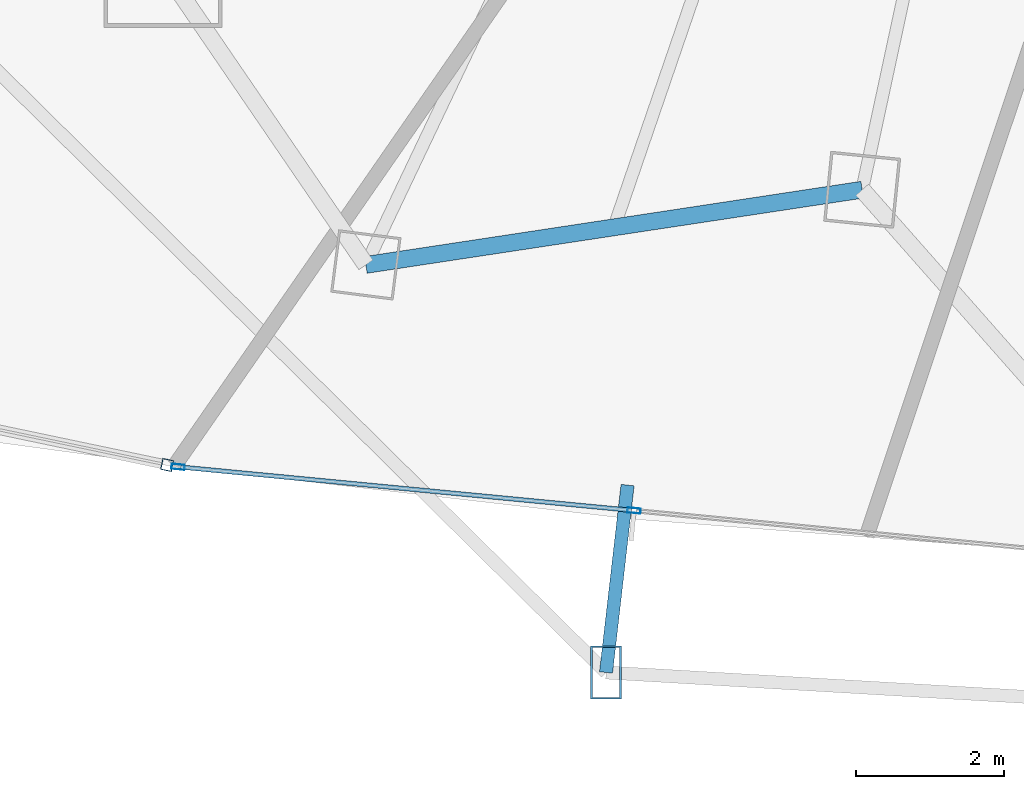
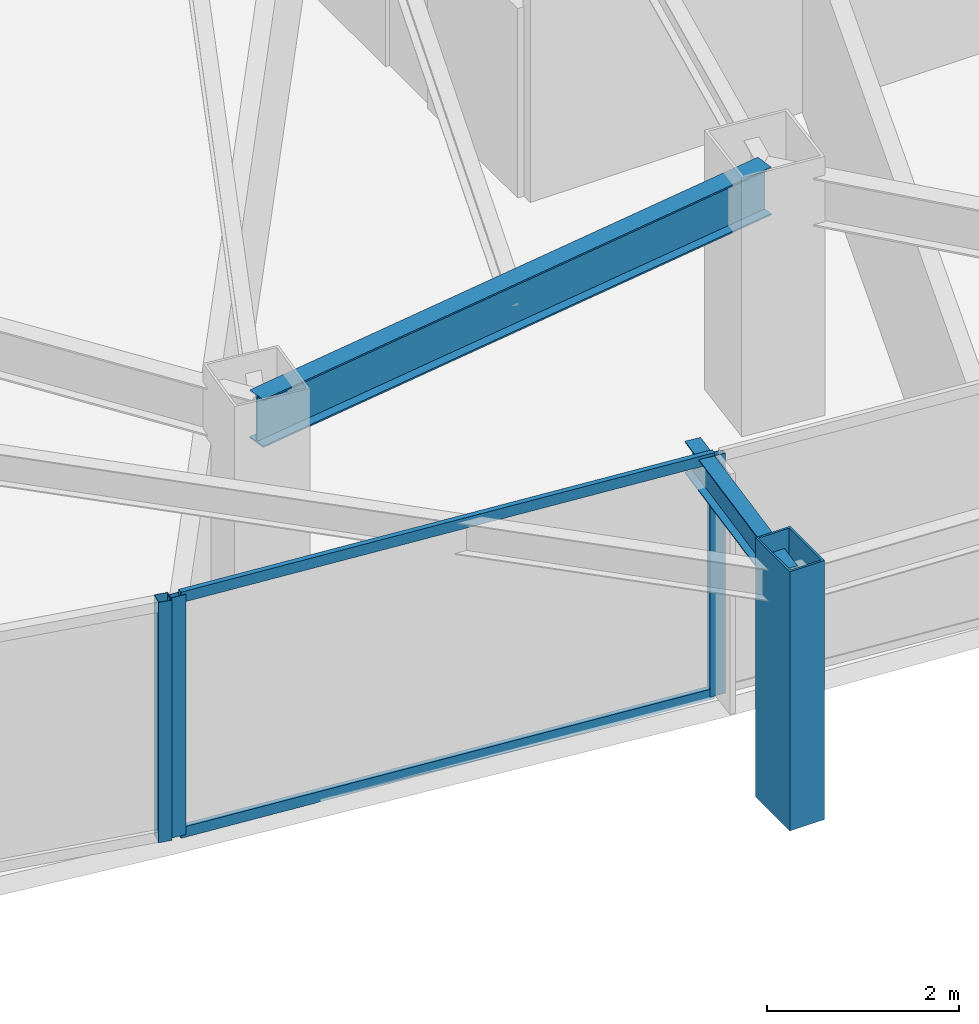
# One storey, part 4 of 33: 6 members, 2 beams, 2 elements without a shape of their own.
"""IFC4 building model written with IfcOpenShell, lengths in metres."""

from ifc_helpers import new_model, si_unit, direction, frame, origin, origin_2d, place, context, subcontext, project, spatial, hollow_rectangle, i_section, extrude, material, layer, layer_set, material_profile, profile_set, type_object, element, aggregate, save


model = new_model("IFC4")

# Units and contexts
model_context = context("Model", 3, precision=1e-05, world=origin(), true_north=direction((0.0, 1.0)))
body_context = subcontext(model_context, "Body", "Model", "MODEL_VIEW")
ifc_project = project(units=[si_unit("LENGTHUNIT", "METRE"), si_unit("AREAUNIT", "SQUARE_METRE"), si_unit("VOLUMEUNIT", "CUBIC_METRE"), si_unit("PLANEANGLEUNIT", "RADIAN"), si_unit("MASSUNIT", "GRAM", prefix="KILO")], contexts=[model_context])

# Site, building, storey
site_placement = place(None, origin())
site = spatial("IfcSite", under=ifc_project, at=site_placement, CompositionType="ELEMENT")
building_placement = place(site_placement, origin())
building = spatial("IfcBuilding", under=site, at=building_placement, Name="Orvanel Arch Residences", CompositionType="ELEMENT")
storey_placement = place(building_placement, frame((0.0, 0.0, 90.64990234375)))
storey = spatial("IfcBuildingStorey", under=building, at=storey_placement, Name="L25", CompositionType="ELEMENT", Elevation=90.64990234375)

# Member
ifc_material_1 = material(Name="Structural steel AS/NZS 3678 Grade 350", Category="steel")
ifc_material_profile_1 = material_profile(ifc_material_1, hollow_rectangle(XDim=0.419921875, YDim=0.719970703125, WallThickness=0.02490234375, at=origin_2d()), Name="RHS720x420x25")
ifc_profile_set_1 = profile_set([ifc_material_profile_1], Name="Structural steel AS/NZS 3678 Grade 350")
member_type_1 = type_object("IfcMemberType", Name="CH-720RHS-EXT", PredefinedType="CHORD", material=ifc_profile_set_1)
member_1_placement = place(storey_placement, frame((20.18701171875, 0.830078125, 0.0), z_axis=(0.0, 0.0, 1.0), x_axis=(1.0, 0.0, 0.0)))
element("IfcMember", 1, at=member_1_placement, inside=storey, type_object=member_type_1, Name="L25 Outer Perimeter Frame Post 05", PredefinedType="CHORD", context=body_context, shape_type="SweptSolid", body=[
    extrude(hollow_rectangle(XDim=0.419921875, YDim=0.719970703125, WallThickness=0.02490234375, at=origin_2d()), origin(), (0.0, 0.0, 1.0), 3.300048828125),
])

# Curtain wall, member
ifc_material_2 = material(Name="Bronze-anodised aluminium AA6063-T6", Category="aluminium")
ifc_layer_1 = layer(ifc_material_2, 0.18994140625)
ifc_layer_set_1 = layer_set([ifc_layer_1], Name="Bronze-anodised aluminium AA6063-T6")
curtain_wall_type_1 = type_object("IfcCurtainWallType", Name="CW5-CRN-SYS", PredefinedType="NOTDEFINED", material=ifc_layer_set_1)
curtain_wall_1_placement = place(storey_placement, origin())
curtain_wall_1 = element("IfcCurtainWall", 2, at=curtain_wall_1_placement, inside=storey, type_object=curtain_wall_type_1, Name="L25 CW5-CRN-SYS Unitised Curtain Wall", PredefinedType="NOTDEFINED")
ifc_material_profile_2 = material_profile(ifc_material_2, hollow_rectangle(XDim=0.14990234375, YDim=0.14990234375, WallThickness=0.0048828125, at=origin_2d()), Name="ALU150x150x5")
ifc_profile_set_2 = profile_set([ifc_material_profile_2], Name="Bronze-anodised aluminium AA6063-T6")
member_type_2 = type_object("IfcMemberType", Name="MUL-150x150", PredefinedType="MULLION", material=ifc_profile_set_2)
member_2_placement = place(storey_placement, frame((14.254638671875, 3.63427734375, 0.0), z_axis=(0.0, 0.0, 1.0), x_axis=(0.205293352027, 0.97870048514, 0.0)))
member_2 = element("IfcMember", 3, at=member_2_placement, type_object=member_type_2, Name="CW-S5 mullion 3", PredefinedType="MULLION", context=body_context, shape_type="SweptSolid", body=[
    extrude(hollow_rectangle(XDim=0.14990234375, YDim=0.14990234375, WallThickness=0.0048828125, at=origin_2d()), origin(), (0.0, 0.0, 1.0), 3.06005859375),
])
aggregate(curtain_wall_1, [member_2])

# Curtain wall, members
ifc_layer_2 = layer(ifc_material_2, 0.179931640625)
ifc_layer_set_2 = layer_set([ifc_layer_2], Name="Bronze-anodised aluminium AA6063-T6")
curtain_wall_type_2 = type_object("IfcCurtainWallType", Name="CW2-LOW-SYS", PredefinedType="NOTDEFINED", material=ifc_layer_set_2)
curtain_wall_2_placement = place(storey_placement, origin())
curtain_wall_2 = element("IfcCurtainWall", 4, at=curtain_wall_2_placement, inside=storey, type_object=curtain_wall_type_2, Name="L25 CW2-LOW-SYS Unitised Curtain Wall", PredefinedType="NOTDEFINED")
ifc_material_profile_3 = material_profile(ifc_material_2, hollow_rectangle(XDim=0.070068359375, YDim=0.179931640625, WallThickness=0.00439453125, at=origin_2d()), Name="ALU180x70x4.5")
ifc_profile_set_3 = profile_set([ifc_material_profile_3], Name="Bronze-anodised aluminium AA6063-T6")
member_type_3 = type_object("IfcMemberType", Name="MUL-180x70", PredefinedType="MULLION", material=ifc_profile_set_3)
member_3_placement = place(storey_placement, frame((14.40283203125, 3.609619140625, 0.0), z_axis=(0.0, 0.0, 1.0), x_axis=(0.095487456477, 0.995430633272, 0.0)))
member_3 = element("IfcMember", 5, at=member_3_placement, type_object=member_type_3, Name="CW-S2 mullion 1", PredefinedType="MULLION", context=body_context, shape_type="SweptSolid", body=[
    extrude(hollow_rectangle(XDim=0.070068359375, YDim=0.179931640625, WallThickness=0.00439453125, at=origin_2d()), origin(), (0.0, 0.0, 1.0), 3.06005859375),
])
member_4_placement = place(storey_placement, frame((20.5654296875, 3.0185546875, 0.0), z_axis=(0.0, 0.0, 1.0), x_axis=(0.095487456477, 0.995430633272, 0.0)))
member_4 = element("IfcMember", 6, at=member_4_placement, type_object=member_type_3, Name="CW-S2 mullion 2", PredefinedType="MULLION", context=body_context, shape_type="SweptSolid", body=[
    extrude(hollow_rectangle(XDim=0.070068359375, YDim=0.179931640625, WallThickness=0.00439453125, at=origin_2d()), origin(), (0.0, 0.0, 1.0), 3.06005859375),
])

# Beams
ifc_material_3 = material(Name="Structural steel AS/NZS 3679.1 Grade 300 (300 MPa)", Category="steel")
ifc_material_profile_4 = material_profile(ifc_material_3, i_section(OverallWidth=0.177978515625, OverallDepth=0.406005859375, WebThickness=0.0078125, FlangeThickness=0.0126953125, at=origin_2d()), Name="410UB59.7")
ifc_profile_set_4 = profile_set([ifc_material_profile_4], Name="Structural steel AS/NZS 3679.1 Grade 300 (300 MPa)")
beam_type_1 = type_object("IfcBeamType", Name="OB-410UB-EXT", PredefinedType="SPANDREL", material=ifc_profile_set_4)
beam_1_placement = place(storey_placement, frame((20.47802734375, 3.363037109375, 2.857177734375), z_axis=(-0.114140703253, -0.993464594166, 0.0), x_axis=(0.993464594166, -0.114140703253, 0.0)))
element("IfcBeam", 7, at=beam_1_placement, inside=storey, type_object=beam_type_1, Name="L25 Outer Frame Radial Tie Beam 05", PredefinedType="SPANDREL", context=body_context, shape_type="SweptSolid", body=[
    extrude(i_section(OverallWidth=0.177978515625, OverallDepth=0.406005859375, WebThickness=0.0078125, FlangeThickness=0.0126953125, at=origin_2d()), origin(), (0.0, 0.0, 1.0), 2.549560546875),
])
ifc_material_profile_5 = material_profile(ifc_material_3, i_section(OverallWidth=0.22900390625, OverallDepth=0.612060546875, WebThickness=0.011962890625, FlangeThickness=0.01953125, at=origin_2d()), Name="610UB125")
ifc_profile_set_5 = profile_set([ifc_material_profile_5], Name="Structural steel AS/NZS 3679.1 Grade 300 (300 MPa)")
beam_type_2 = type_object("IfcBeamType", Name="SP-610UB", PredefinedType="SPANDREL", material=ifc_profile_set_5)
beam_2_placement = place(storey_placement, frame((16.94091796875, 6.339111328125, 2.754150390625), z_axis=(0.988726323014, 0.149733958002, 0.0), x_axis=(-0.149733958002, 0.988726323014, 0.0)))
element("IfcBeam", 8, at=beam_2_placement, inside=storey, type_object=beam_type_2, Name="L25 Perimeter Spandrel Beam 04", PredefinedType="SPANDREL", context=body_context, shape_type="SweptSolid", body=[
    extrude(i_section(OverallWidth=0.22900390625, OverallDepth=0.612060546875, WebThickness=0.011962890625, FlangeThickness=0.01953125, at=origin_2d()), origin(), (0.0, 0.0, 1.0), 6.784423828125),
])

# Member
ifc_material_profile_6 = material_profile(ifc_material_2, hollow_rectangle(XDim=0.06005859375, YDim=0.135009765625, WallThickness=0.00390625, at=origin_2d()), Name="ALU135x60x4")
ifc_profile_set_6 = profile_set([ifc_material_profile_6], Name="Bronze-anodised aluminium AA6063-T6")
member_type_4 = type_object("IfcMemberType", Name="TRN-135x60", PredefinedType="USERDEFINED", material=ifc_profile_set_6)
member_5_placement = place(storey_placement, frame((14.437744140625, 3.606201171875, 0.030029296875), z_axis=(0.995430707597, -0.095486681652, 0.0), x_axis=(0.095486681652, 0.995430707597, 0.0)))
member_5 = element("IfcMember", 9, at=member_5_placement, type_object=member_type_4, Name="CW-S2 transom 1.1", ObjectType="TRANSOM", PredefinedType="USERDEFINED", context=body_context, shape_type="SweptSolid", body=[
    extrude(hollow_rectangle(XDim=0.06005859375, YDim=0.135009765625, WallThickness=0.00390625, at=origin_2d()), origin(), (0.0, 0.0, 1.0), 6.12109375),
])

member_6_placement = place(storey_placement, frame((14.437744140625, 3.606201171875, 3.030029296875), z_axis=(0.995430707597, -0.095486681652, 0.0), x_axis=(0.095486681652, 0.995430707597, 0.0)))
member_6 = element("IfcMember", 10, at=member_6_placement, type_object=member_type_4, Name="CW-S2 transom 1.2", ObjectType="TRANSOM", PredefinedType="USERDEFINED", context=body_context, shape_type="SweptSolid", body=[
    extrude(hollow_rectangle(XDim=0.06005859375, YDim=0.135009765625, WallThickness=0.00390625, at=origin_2d()), origin(), (0.0, 0.0, 1.0), 6.12109375),
])

aggregate(curtain_wall_2, [member_3, member_4, member_5, member_6])

save(model, "model.ifc")
